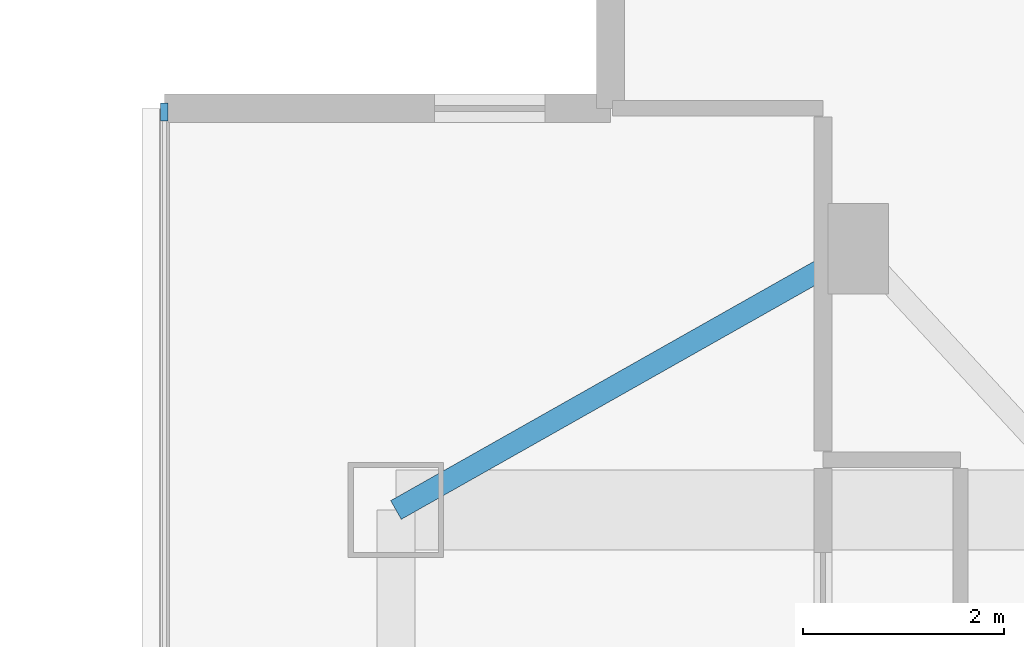
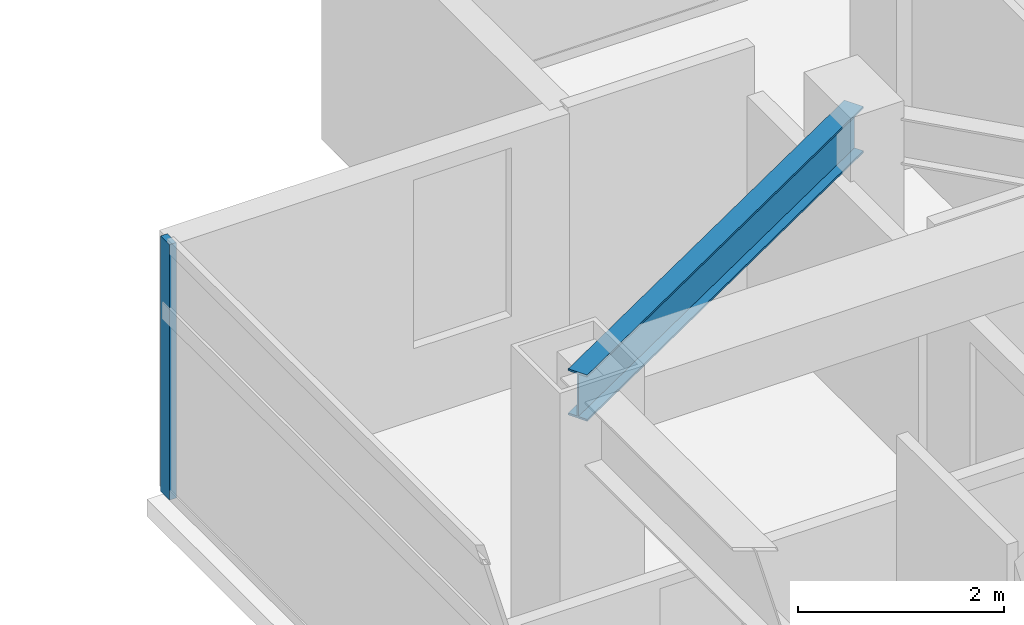
# One storey, part 6 of 26: 1 beam, 1 member, 1 element without a shape of its own.
"""IFC4 building model written with IfcOpenShell, lengths in metres."""

from ifc_helpers import new_model, si_unit, direction, frame, origin, origin_2d, place, context, subcontext, project, spatial, rectangle, i_section, extrude, material, material_profile, profile_set, type_object, element, aggregate, save


model = new_model("IFC4")

# Units and contexts
model_context = context("Model", 3, precision=1e-05, world=origin(), true_north=direction((0.0, 1.0)))
body_context = subcontext(model_context, "Body", "Model", "MODEL_VIEW")
ifc_project = project(units=[si_unit("LENGTHUNIT", "METRE"), si_unit("AREAUNIT", "SQUARE_METRE"), si_unit("VOLUMEUNIT", "CUBIC_METRE"), si_unit("PLANEANGLEUNIT", "RADIAN"), si_unit("MASSUNIT", "GRAM", prefix="KILO")], contexts=[model_context])

# Site, building, storey
site_placement = place(None, origin())
site = spatial("IfcSite", under=ifc_project, at=site_placement, CompositionType="ELEMENT")
building_placement = place(site_placement, origin())
building = spatial("IfcBuilding", under=site, at=building_placement, Name="Mirazonda Arch Towers", CompositionType="ELEMENT")
storey_placement = place(building_placement, frame((0.0, 0.0, 203.14990234375)))
storey = spatial("IfcBuildingStorey", under=building, at=storey_placement, Name="L58", CompositionType="ELEMENT", Elevation=203.14990234375)

# Beam
ifc_material_1 = material(Name="Steel ASTM A992 Grade 50", Category="steel")
ifc_material_profile_1 = material_profile(ifc_material_1, i_section(OverallWidth=0.214111328125, OverallDepth=0.549072265625, WebThickness=0.0146484375, FlangeThickness=0.023681640625, at=origin_2d()), Name="W21X93")
ifc_profile_set_1 = profile_set([ifc_material_profile_1], Name="Steel ASTM A992 Grade 50")
beam_type = type_object("IfcBeamType", Name="BM-INT-W21X93", PredefinedType="BEAM", material=ifc_profile_set_1)
beam_placement = place(storey_placement, frame((65.60009765625, 37.800048828125, 2.775634765625), z_axis=(-0.870559396632, -0.492063346467, 0.0), x_axis=(0.492063346467, -0.870559396632, 0.0)))
element("IfcBeam", 1, at=beam_placement, inside=storey, type_object=beam_type, Name="L58 Floor Beam BM-T2-L58-PL-NW2", PredefinedType="BEAM", context=body_context, shape_type="SweptSolid", body=[
    extrude(i_section(OverallWidth=0.214111328125, OverallDepth=0.549072265625, WebThickness=0.0146484375, FlangeThickness=0.023681640625, at=origin_2d()), origin(), (0.0, 0.0, 1.0), 5.2841796875),
])

# Curtain wall, member
ifc_material_2 = material(Name="Anodised Aluminium and Low-E Glass", Category="aluminium")
curtain_wall_type = type_object("IfcCurtainWallType", Name="CW-RES-UNIT", PredefinedType="NOTDEFINED", material=ifc_material_2)
curtain_wall_placement = place(storey_placement, origin())
curtain_wall = element("IfcCurtainWall", 2, at=curtain_wall_placement, inside=storey, type_object=curtain_wall_type, Name="L58 T2 W Facade CW-L58-T2-W", PredefinedType="NOTDEFINED")
ifc_material_3 = material(Name="Anodised Aluminium Alloy", Category="aluminium")
ifc_material_profile_2 = material_profile(ifc_material_3, rectangle(XDim=0.074951171875, YDim=0.175048828125, at=origin_2d()), Name="ALU-MULL-75x175")
ifc_profile_set_2 = profile_set([ifc_material_profile_2], Name="Anodised Aluminium Alloy")
member_type = type_object("IfcMemberType", Name="MULL-CW-RES-UNIT", PredefinedType="MULLION", material=ifc_profile_set_2)
member_placement = place(storey_placement, frame((58.694580078125, 39.1611328125, 0.0), z_axis=(0.0, 0.0, 1.0), x_axis=(1.0, 0.0, 0.0)))
member = element("IfcMember", 3, at=member_placement, type_object=member_type, Name="CW-104 mullion 1", PredefinedType="MULLION", context=body_context, shape_type="SweptSolid", body=[
    extrude(rectangle(XDim=0.074951171875, YDim=0.175048828125, at=origin_2d()), origin(), (0.0, 0.0, 1.0), 3.030029296875),
])
aggregate(curtain_wall, [member])

save(model, "model.ifc")
